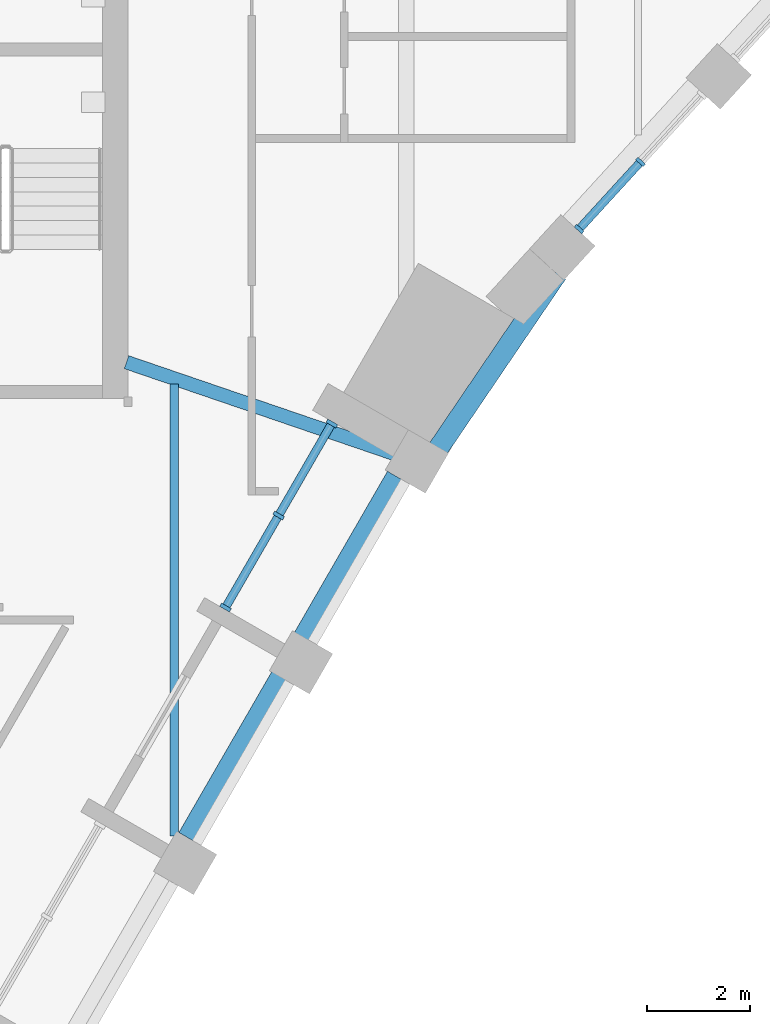
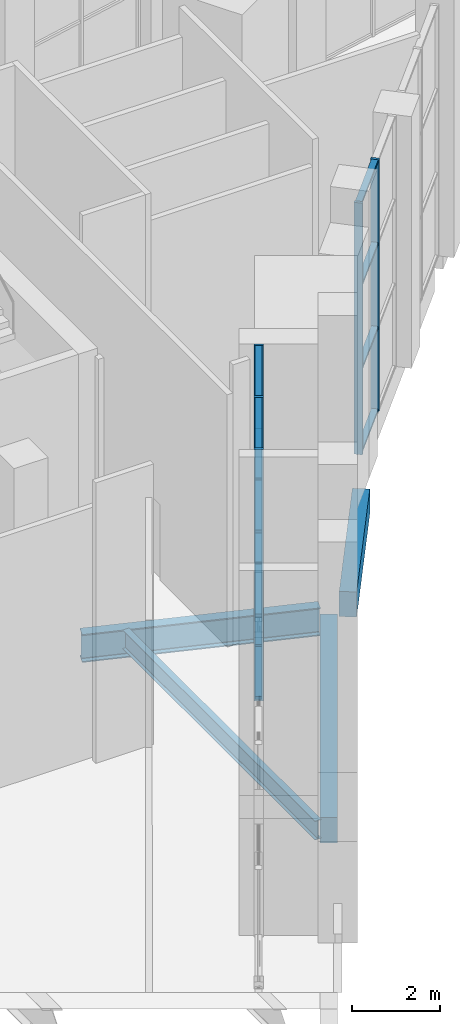
# One storey, part 4 of 16: 17 members, 4 beams, 2 elements without a shape of their own.
"""IFC4 building model written with IfcOpenShell, lengths in metres."""

from ifc_helpers import new_model, si_unit, direction, frame, origin, origin_2d, place, context, subcontext, project, spatial, rectangle, i_section, extrude, material, material_profile, profile_set, type_object, element, aggregate, save


model = new_model("IFC4")

# Units and contexts
model_context = context("Model", 3, precision=1e-05, world=origin(), true_north=direction((0.0, 1.0)))
body_context = subcontext(model_context, "Body", "Model", "MODEL_VIEW")
ifc_project = project(units=[si_unit("LENGTHUNIT", "METRE"), si_unit("AREAUNIT", "SQUARE_METRE"), si_unit("VOLUMEUNIT", "CUBIC_METRE"), si_unit("PLANEANGLEUNIT", "RADIAN"), si_unit("MASSUNIT", "GRAM", prefix="KILO")], contexts=[model_context])

# Site, building, storey
site_placement = place(None, origin())
site = spatial("IfcSite", under=ifc_project, at=site_placement, CompositionType="ELEMENT")
building_placement = place(site_placement, origin())
building = spatial("IfcBuilding", under=site, at=building_placement, Name="Calabash Gate Tower", CompositionType="ELEMENT")
storey_placement = place(building_placement, frame((0.0, 0.0, 302.5)))
storey = spatial("IfcBuildingStorey", under=building, at=storey_placement, Name="L72", CompositionType="ELEMENT", Elevation=302.5)

# Beams
ifc_material_1 = material(Name="Concrete C50/60", Category="concrete")
ifc_material_profile_1 = material_profile(ifc_material_1, rectangle(XDim=0.39990234375, YDim=0.699951171875, at=origin_2d()))
ifc_profile_set_1 = profile_set([ifc_material_profile_1], Name="Concrete C50/60")
beam_type_1 = type_object("IfcBeamType", Name="Edge beam RC 400x700 Concrete C50/60", PredefinedType="BEAM", material=ifc_profile_set_1)
beam_1_placement = place(storey_placement, frame((13.760009765625, -3.27294921875, -0.64990234375), z_axis=(0.500104308266, 0.865965173003, 0.0), x_axis=(-0.865965173003, 0.500104308266, 0.0)))
element("IfcBeam", 1, at=beam_1_placement, inside=storey, type_object=beam_type_1, Name="Edge beam L72 8", PredefinedType="BEAM", context=body_context, shape_type="SweptSolid", body=[
    extrude(rectangle(XDim=0.39990234375, YDim=0.699951171875, at=origin_2d()), origin(), (0.0, 0.0, 1.0), 8.098388671875),
])
beam_2_placement = place(storey_placement, frame((18.623046875, 4.283935546875, -0.64990234375), z_axis=(0.561853107026, 0.827237019315, 0.0), x_axis=(-0.827237019315, 0.561853107026, 0.0)))
element("IfcBeam", 2, at=beam_2_placement, inside=storey, type_object=beam_type_1, Name="Edge beam L72 9", PredefinedType="BEAM", context=body_context, shape_type="SweptSolid", body=[
    extrude(rectangle(XDim=0.39990234375, YDim=0.699951171875, at=origin_2d()), origin(), (0.0, 0.0, 1.0), 4.107666015625),
])
ifc_material_2 = material(Name="Steel ASTM A992 Gr50", Category="steel")
ifc_material_profile_2 = material_profile(ifc_material_2, i_section(OverallWidth=0.166015625, OverallDepth=0.5283203125, WebThickness=0.009765625, FlangeThickness=0.013671875, FilletRadius=0.0126953125, at=origin_2d()))
ifc_profile_set_2 = profile_set([ifc_material_profile_2], Name="Steel ASTM A992 Gr50")
beam_type_2 = type_object("IfcBeamType", Name="Floor beam W21x50 ASTM A992 Gr50", PredefinedType="BEAM", material=ifc_profile_set_2)
beam_3_placement = place(storey_placement, frame((13.5, -3.237060546875, -0.56396484375), z_axis=(0.0, 1.0, 0.0), x_axis=(-1.0, 0.0, 0.0)))
element("IfcBeam", 3, at=beam_3_placement, inside=storey, type_object=beam_type_2, Name="Floor beam L72 13", PredefinedType="BEAM", context=body_context, shape_type="SweptSolid", body=[
    extrude(i_section(OverallWidth=0.166015625, OverallDepth=0.5283203125, WebThickness=0.009765625, FlangeThickness=0.013671875, FilletRadius=0.0126953125, at=origin_2d()), origin(), (0.0, 0.0, 1.0), 8.76806640625),
])
ifc_material_3 = material(Name="Steel ASTM A992 Gr50", Category="steel")
ifc_material_profile_3 = material_profile(ifc_material_3, i_section(OverallWidth=0.2666015625, OverallDepth=0.77978515625, WebThickness=0.0166015625, FlangeThickness=0.030029296875, FilletRadius=0.0166015625, at=origin_2d()))
ifc_profile_set_3 = profile_set([ifc_material_profile_3], Name="Steel ASTM A992 Gr50")
beam_type_3 = type_object("IfcBeamType", Name="Girder W30x148 ASTM A992 Gr50", PredefinedType="BEAM", material=ifc_profile_set_3)
beam_4_placement = place(storey_placement, frame((17.803955078125, 4.16796875, -0.68994140625), z_axis=(-0.946191727355, 0.323606574539, 0.0), x_axis=(-0.323606574539, -0.946191727355, 0.0)))
element("IfcBeam", 4, at=beam_4_placement, inside=storey, type_object=beam_type_3, Name="Girder L72 3", PredefinedType="BEAM", context=body_context, shape_type="SweptSolid", body=[
    extrude(i_section(OverallWidth=0.2666015625, OverallDepth=0.77978515625, WebThickness=0.0166015625, FlangeThickness=0.030029296875, FilletRadius=0.0166015625, at=origin_2d()), origin(), (0.0, 0.0, 1.0), 5.531494140625),
])

# Curtain wall, members
ifc_material_4 = material(Name="Anodised aluminium frame, bronze finish, clear laminated impact-rated glazing", Category="aluminium")
curtain_wall_type_1 = type_object("IfcCurtainWallType", Name="Curtain wall CWO observation deck wall", PredefinedType="NOTDEFINED", material=ifc_material_4)
curtain_wall_1_placement = place(storey_placement, origin())
curtain_wall_1 = element("IfcCurtainWall", 5, at=curtain_wall_1_placement, inside=storey, type_object=curtain_wall_type_1, Name="Curtain wall CWO L72 SE2.6", PredefinedType="NOTDEFINED")
ifc_material_5 = material(Name="Anodised aluminium frame, bronze finish", Category="aluminium")
ifc_material_profile_4 = material_profile(ifc_material_5, rectangle(XDim=0.219970703125, YDim=0.074951171875, at=origin_2d()))
ifc_profile_set_4 = profile_set([ifc_material_profile_4], Name="Anodised aluminium frame, bronze finish")
member_type_1 = type_object("IfcMemberType", Name="Mullion CWO 75x220", PredefinedType="MULLION", material=ifc_profile_set_4)
member_1_placement = place(storey_placement, frame((14.492919921875, 1.19482421875, 0.0), z_axis=(0.0, 0.0, 1.0), x_axis=(-0.866025421884, 0.499999968652, 0.0)))
member_1 = element("IfcMember", 6, at=member_1_placement, type_object=member_type_1, Name="CWO mullion 1", PredefinedType="MULLION", context=body_context, shape_type="SweptSolid", body=[
    extrude(rectangle(XDim=0.219970703125, YDim=0.074951171875, at=origin_2d()), origin(), (0.0, 0.0, 1.0), 7.0),
])
member_2_placement = place(storey_placement, frame((15.524169921875, 2.98095703125, 0.0), z_axis=(0.0, 0.0, 1.0), x_axis=(-0.866025421884, 0.499999968652, 0.0)))
member_2 = element("IfcMember", 7, at=member_2_placement, type_object=member_type_1, Name="CWO mullion 2", PredefinedType="MULLION", context=body_context, shape_type="SweptSolid", body=[
    extrude(rectangle(XDim=0.219970703125, YDim=0.074951171875, at=origin_2d()), origin(), (0.0, 0.0, 1.0), 7.0),
])
member_3_placement = place(storey_placement, frame((16.555419921875, 4.76708984375, 0.0), z_axis=(0.0, 0.0, 1.0), x_axis=(-0.866025421884, 0.499999968652, 0.0)))
member_3 = element("IfcMember", 8, at=member_3_placement, type_object=member_type_1, Name="CWO mullion 3", PredefinedType="MULLION", context=body_context, shape_type="SweptSolid", body=[
    extrude(rectangle(XDim=0.219970703125, YDim=0.074951171875, at=origin_2d()), origin(), (0.0, 0.0, 1.0), 7.0),
])

ifc_material_6 = material(Name="Anodised aluminium frame, bronze finish, clear laminated impact-rated glazing", Category="aluminium")
curtain_wall_type_2 = type_object("IfcCurtainWallType", Name="Curtain wall CWW wedge prow wall", PredefinedType="NOTDEFINED", material=ifc_material_6)
curtain_wall_2_placement = place(storey_placement, origin())
curtain_wall_2 = element("IfcCurtainWall", 9, at=curtain_wall_2_placement, inside=storey, type_object=curtain_wall_type_2, Name="Curtain wall CWW L72 wedge3.1", PredefinedType="NOTDEFINED")
ifc_material_7 = material(Name="Anodised aluminium frame, bronze finish", Category="aluminium")
ifc_material_profile_5 = material_profile(ifc_material_7, rectangle(XDim=0.199951171875, YDim=0.070068359375, at=origin_2d()))
ifc_profile_set_5 = profile_set([ifc_material_profile_5], Name="Anodised aluminium frame, bronze finish")
member_type_2 = type_object("IfcMemberType", Name="Mullion CWW 70x200", PredefinedType="MULLION", material=ifc_profile_set_5)
member_4_placement = place(storey_placement, frame((21.35791015625, 8.54248046875, 0.0), z_axis=(0.0, 0.0, 1.0), x_axis=(-0.737949526234, 0.674855908125, 0.0)))
member_4 = element("IfcMember", 10, at=member_4_placement, type_object=member_type_2, Name="CWW mullion 1", PredefinedType="MULLION", context=body_context, shape_type="SweptSolid", body=[
    extrude(rectangle(XDim=0.199951171875, YDim=0.070068359375, at=origin_2d()), origin(), (0.0, 0.0, 1.0), 7.0),
])
member_5_placement = place(storey_placement, frame((22.548828125, 9.844970703125, 0.0), z_axis=(0.0, 0.0, 1.0), x_axis=(-0.737949526234, 0.674855908125, 0.0)))
member_5 = element("IfcMember", 11, at=member_5_placement, type_object=member_type_2, Name="CWW mullion 2", PredefinedType="MULLION", context=body_context, shape_type="SweptSolid", body=[
    extrude(rectangle(XDim=0.199951171875, YDim=0.070068359375, at=origin_2d()), origin(), (0.0, 0.0, 1.0), 7.0),
])

# Member
ifc_material_8 = material(Name="Anodised aluminium frame, bronze finish", Category="aluminium")
ifc_material_profile_6 = material_profile(ifc_material_8, rectangle(XDim=0.159912109375, YDim=0.074951171875, at=origin_2d()))
ifc_profile_set_6 = profile_set([ifc_material_profile_6], Name="Anodised aluminium frame, bronze finish")
member_type_3 = type_object("IfcMemberType", Name="Transom CWO 75x160", PredefinedType="USERDEFINED", material=ifc_profile_set_6)
member_6_placement = place(storey_placement, frame((14.511474609375, 1.227294921875, 0.03759765625), z_axis=(0.500062700197, 0.865989200783, 0.0), x_axis=(-0.865989200783, 0.500062700197, 0.0)))
member_6 = element("IfcMember", 12, at=member_6_placement, type_object=member_type_3, Name="CWO transom 1.1", ObjectType="TRANSOM", PredefinedType="USERDEFINED", context=body_context, shape_type="SweptSolid", body=[
    extrude(rectangle(XDim=0.159912109375, YDim=0.074951171875, at=origin_2d()), origin(), (0.0, 0.0, 1.0), 1.987548828125),
])

member_7_placement = place(storey_placement, frame((14.511474609375, 1.227294921875, 2.333251953125), z_axis=(0.500062700197, 0.865989200783, 0.0), x_axis=(-0.865989200783, 0.500062700197, 0.0)))
member_7 = element("IfcMember", 13, at=member_7_placement, type_object=member_type_3, Name="CWO transom 1.2", ObjectType="TRANSOM", PredefinedType="USERDEFINED", context=body_context, shape_type="SweptSolid", body=[
    extrude(rectangle(XDim=0.159912109375, YDim=0.074951171875, at=origin_2d()), origin(), (0.0, 0.0, 1.0), 1.987548828125),
])

member_8_placement = place(storey_placement, frame((14.511474609375, 1.227294921875, 4.666748046875), z_axis=(0.500062700197, 0.865989200783, 0.0), x_axis=(-0.865989200783, 0.500062700197, 0.0)))
member_8 = element("IfcMember", 14, at=member_8_placement, type_object=member_type_3, Name="CWO transom 1.3", ObjectType="TRANSOM", PredefinedType="USERDEFINED", context=body_context, shape_type="SweptSolid", body=[
    extrude(rectangle(XDim=0.159912109375, YDim=0.074951171875, at=origin_2d()), origin(), (0.0, 0.0, 1.0), 1.987548828125),
])

member_9_placement = place(storey_placement, frame((14.511474609375, 1.227294921875, 6.96240234375), z_axis=(0.500062700197, 0.865989200783, 0.0), x_axis=(-0.865989200783, 0.500062700197, 0.0)))
member_9 = element("IfcMember", 15, at=member_9_placement, type_object=member_type_3, Name="CWO transom 1.4", ObjectType="TRANSOM", PredefinedType="USERDEFINED", context=body_context, shape_type="SweptSolid", body=[
    extrude(rectangle(XDim=0.159912109375, YDim=0.074951171875, at=origin_2d()), origin(), (0.0, 0.0, 1.0), 1.987548828125),
])

member_10_placement = place(storey_placement, frame((15.542724609375, 3.013427734375, 0.03759765625), z_axis=(0.500062700197, 0.865989200783, 0.0), x_axis=(-0.865989200783, 0.500062700197, 0.0)))
member_10 = element("IfcMember", 16, at=member_10_placement, type_object=member_type_3, Name="CWO transom 2.1", ObjectType="TRANSOM", PredefinedType="USERDEFINED", context=body_context, shape_type="SweptSolid", body=[
    extrude(rectangle(XDim=0.159912109375, YDim=0.074951171875, at=origin_2d()), origin(), (0.0, 0.0, 1.0), 1.987548828125),
])

member_11_placement = place(storey_placement, frame((15.542724609375, 3.013427734375, 2.333251953125), z_axis=(0.500062700197, 0.865989200783, 0.0), x_axis=(-0.865989200783, 0.500062700197, 0.0)))
member_11 = element("IfcMember", 17, at=member_11_placement, type_object=member_type_3, Name="CWO transom 2.2", ObjectType="TRANSOM", PredefinedType="USERDEFINED", context=body_context, shape_type="SweptSolid", body=[
    extrude(rectangle(XDim=0.159912109375, YDim=0.074951171875, at=origin_2d()), origin(), (0.0, 0.0, 1.0), 1.987548828125),
])

member_12_placement = place(storey_placement, frame((15.542724609375, 3.013427734375, 4.666748046875), z_axis=(0.500062700197, 0.865989200783, 0.0), x_axis=(-0.865989200783, 0.500062700197, 0.0)))
member_12 = element("IfcMember", 18, at=member_12_placement, type_object=member_type_3, Name="CWO transom 2.3", ObjectType="TRANSOM", PredefinedType="USERDEFINED", context=body_context, shape_type="SweptSolid", body=[
    extrude(rectangle(XDim=0.159912109375, YDim=0.074951171875, at=origin_2d()), origin(), (0.0, 0.0, 1.0), 1.987548828125),
])

member_13_placement = place(storey_placement, frame((15.542724609375, 3.013427734375, 6.96240234375), z_axis=(0.500062700197, 0.865989200783, 0.0), x_axis=(-0.865989200783, 0.500062700197, 0.0)))
member_13 = element("IfcMember", 19, at=member_13_placement, type_object=member_type_3, Name="CWO transom 2.4", ObjectType="TRANSOM", PredefinedType="USERDEFINED", context=body_context, shape_type="SweptSolid", body=[
    extrude(rectangle(XDim=0.159912109375, YDim=0.074951171875, at=origin_2d()), origin(), (0.0, 0.0, 1.0), 1.987548828125),
])

aggregate(curtain_wall_1, [member_1, member_2, member_3, member_6, member_7, member_8, member_9, member_10, member_11, member_12, member_13])

ifc_material_9 = material(Name="Anodised aluminium frame, bronze finish", Category="aluminium")
ifc_material_profile_7 = material_profile(ifc_material_9, rectangle(XDim=0.159912109375, YDim=0.070068359375, at=origin_2d()))
ifc_profile_set_7 = profile_set([ifc_material_profile_7], Name="Anodised aluminium frame, bronze finish")
member_type_4 = type_object("IfcMemberType", Name="Transom CWW 70x160", PredefinedType="USERDEFINED", material=ifc_profile_set_7)
member_14_placement = place(storey_placement, frame((21.38134765625, 8.568359375, 0.034912109375), z_axis=(0.674863326953, 0.737942741636, 0.0), x_axis=(-0.737942741636, 0.674863326953, 0.0)))
member_14 = element("IfcMember", 20, at=member_14_placement, type_object=member_type_4, Name="CWW transom 1.1", ObjectType="TRANSOM", PredefinedType="USERDEFINED", context=body_context, shape_type="SweptSolid", body=[
    extrude(rectangle(XDim=0.159912109375, YDim=0.070068359375, at=origin_2d()), origin(), (0.0, 0.0, 1.0), 1.6953125),
])

member_15_placement = place(storey_placement, frame((21.38134765625, 8.568359375, 2.333251953125), z_axis=(0.674863326953, 0.737942741636, 0.0), x_axis=(-0.737942741636, 0.674863326953, 0.0)))
member_15 = element("IfcMember", 21, at=member_15_placement, type_object=member_type_4, Name="CWW transom 1.2", ObjectType="TRANSOM", PredefinedType="USERDEFINED", context=body_context, shape_type="SweptSolid", body=[
    extrude(rectangle(XDim=0.159912109375, YDim=0.070068359375, at=origin_2d()), origin(), (0.0, 0.0, 1.0), 1.6953125),
])

member_16_placement = place(storey_placement, frame((21.38134765625, 8.568359375, 4.666748046875), z_axis=(0.674863326953, 0.737942741636, 0.0), x_axis=(-0.737942741636, 0.674863326953, 0.0)))
member_16 = element("IfcMember", 22, at=member_16_placement, type_object=member_type_4, Name="CWW transom 1.3", ObjectType="TRANSOM", PredefinedType="USERDEFINED", context=body_context, shape_type="SweptSolid", body=[
    extrude(rectangle(XDim=0.159912109375, YDim=0.070068359375, at=origin_2d()), origin(), (0.0, 0.0, 1.0), 1.6953125),
])

member_17_placement = place(storey_placement, frame((21.38134765625, 8.568359375, 6.965087890625), z_axis=(0.674863326953, 0.737942741636, 0.0), x_axis=(-0.737942741636, 0.674863326953, 0.0)))
member_17 = element("IfcMember", 23, at=member_17_placement, type_object=member_type_4, Name="CWW transom 1.4", ObjectType="TRANSOM", PredefinedType="USERDEFINED", context=body_context, shape_type="SweptSolid", body=[
    extrude(rectangle(XDim=0.159912109375, YDim=0.070068359375, at=origin_2d()), origin(), (0.0, 0.0, 1.0), 1.6953125),
])

aggregate(curtain_wall_2, [member_4, member_5, member_14, member_15, member_16, member_17])

save(model, "model.ifc")
